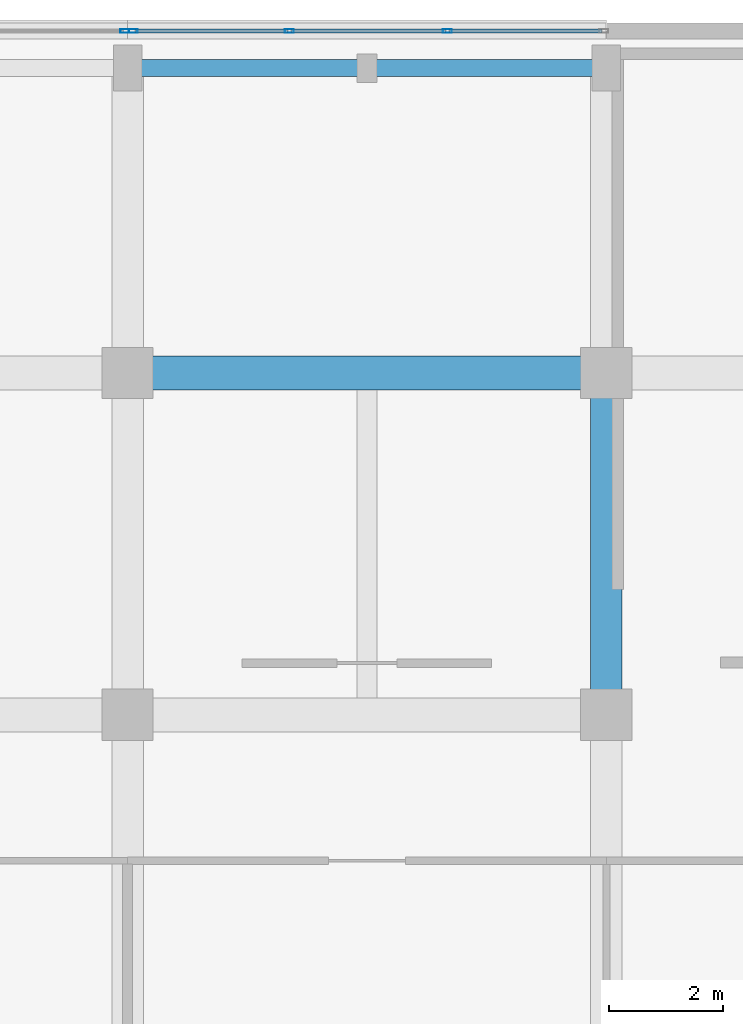
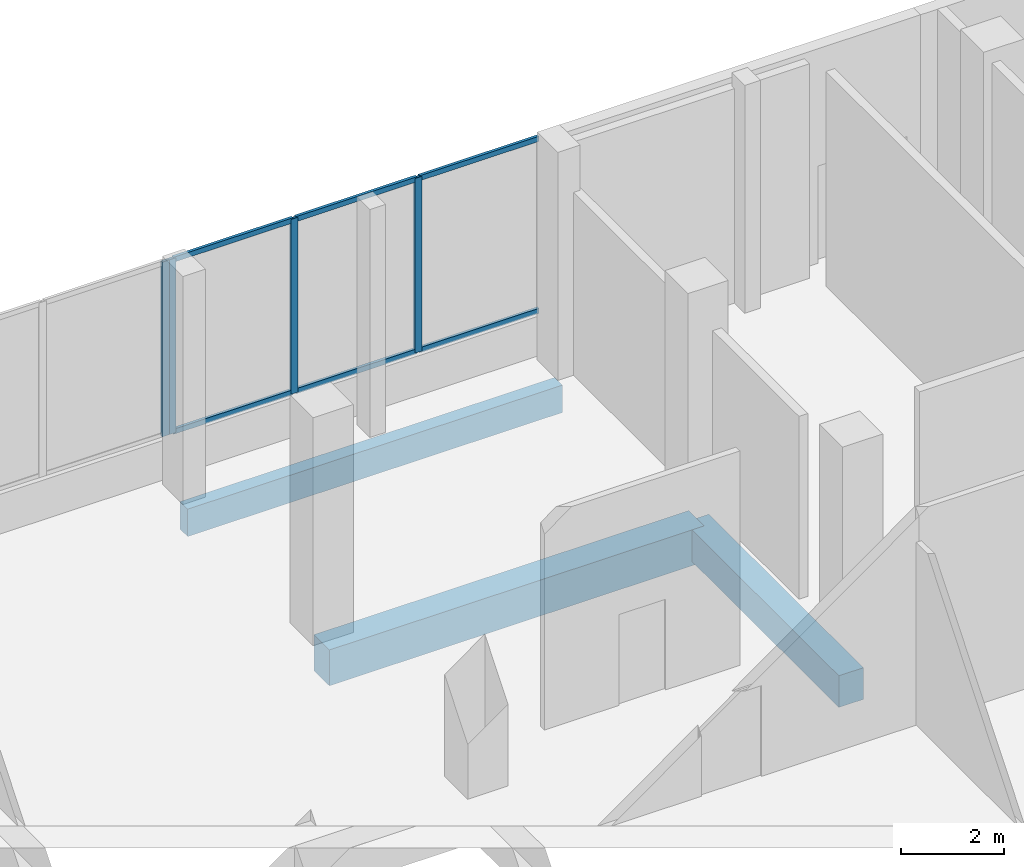
# One storey, part 75 of 158: 10 members, 3 beams, 2 elements without a shape of their own.
"""IFC4 building model written with IfcOpenShell, lengths in metres."""

from ifc_helpers import new_model, si_unit, direction, frame, origin, origin_2d, place, context, subcontext, project, spatial, rectangle, hollow_rectangle, extrude, material, material_profile, profile_set, type_object, element, aggregate, save


model = new_model("IFC4")

# Units and contexts
model_context = context("Model", 3, precision=1e-05, world=origin(), true_north=direction((0.0, 1.0)))
body_context = subcontext(model_context, "Body", "Model", "MODEL_VIEW")
ifc_project = project(units=[si_unit("LENGTHUNIT", "METRE"), si_unit("AREAUNIT", "SQUARE_METRE"), si_unit("VOLUMEUNIT", "CUBIC_METRE"), si_unit("PLANEANGLEUNIT", "RADIAN"), si_unit("MASSUNIT", "GRAM", prefix="KILO")], contexts=[model_context])

# Site, building, storey
site_placement = place(None, origin())
site = spatial("IfcSite", under=ifc_project, at=site_placement, CompositionType="ELEMENT")
building_placement = place(site_placement, origin())
building = spatial("IfcBuilding", under=site, at=building_placement, Name="Selatvlak General Hospital", CompositionType="ELEMENT")
storey_placement = place(building_placement, origin())
storey = spatial("IfcBuildingStorey", under=building, at=storey_placement, Name="L00", CompositionType="ELEMENT", Elevation=0.0)

# Beams
ifc_material_1 = material(Name="Concrete C40/50", Category="concrete")
ifc_material_profile_1 = material_profile(ifc_material_1, rectangle(XDim=0.60009765625, YDim=0.85009765625, at=origin_2d()), Name="RC-BM 600x850")
ifc_profile_set_1 = profile_set([ifc_material_profile_1], Name="Concrete C40/50")
beam_type_1 = type_object("IfcBeamType", Name="BM-G01", PredefinedType="BEAM", material=ifc_profile_set_1)
beam_1_placement = place(storey_placement, frame((31.199951171875, 114.0, -0.77490234375), z_axis=(1.0, 0.0, 0.0), x_axis=(0.0, 1.0, 0.0)))
element("IfcBeam", 1, at=beam_1_placement, inside=storey, type_object=beam_type_1, Name="Beam BMR-L00-0134", PredefinedType="BEAM", context=body_context, shape_type="SweptSolid", body=[
    extrude(rectangle(XDim=0.60009765625, YDim=0.85009765625, at=origin_2d()), origin(), (0.0, 0.0, 1.0), 8.400146484375),
])
ifc_material_profile_2 = material_profile(ifc_material_1, rectangle(XDim=0.550048828125, YDim=0.75, at=origin_2d()), Name="RC-BM 550x750")
ifc_profile_set_2 = profile_set([ifc_material_profile_2], Name="Concrete C40/50")
beam_type_2 = type_object("IfcBeamType", Name="BM-G02", PredefinedType="BEAM", material=ifc_profile_set_2)
beam_2_placement = place(storey_placement, frame((39.60009765625, 108.0, -0.72509765625), z_axis=(0.0, 1.0, 0.0), x_axis=(-1.0, 0.0, 0.0)))
element("IfcBeam", 2, at=beam_2_placement, inside=storey, type_object=beam_type_2, Name="Beam BMR-L00-0179", PredefinedType="BEAM", context=body_context, shape_type="SweptSolid", body=[
    extrude(rectangle(XDim=0.550048828125, YDim=0.75, at=origin_2d()), origin(), (0.0, 0.0, 1.0), 6.0),
])
ifc_material_profile_3 = material_profile(ifc_material_1, rectangle(XDim=0.300048828125, YDim=0.64990234375, at=origin_2d()), Name="RC-SP 300x650")
ifc_profile_set_3 = profile_set([ifc_material_profile_3], Name="Concrete C40/50")
beam_type_3 = type_object("IfcBeamType", Name="BM-SP1", PredefinedType="SPANDREL", material=ifc_profile_set_3)
beam_3_placement = place(storey_placement, frame((31.199951171875, 119.35009765625, -0.675048828125), z_axis=(1.0, 0.0, 0.0), x_axis=(0.0, 1.0, 0.0)))
element("IfcBeam", 3, at=beam_3_placement, inside=storey, type_object=beam_type_3, Name="Beam BMR-L00-0149", PredefinedType="SPANDREL", context=body_context, shape_type="SweptSolid", body=[
    extrude(rectangle(XDim=0.300048828125, YDim=0.64990234375, at=origin_2d()), origin(), (0.0, 0.0, 1.0), 8.400146484375),
])

# Curtain wall, member
ifc_material_2 = material(Name="Solar-control Low-E double glazing", Category="glass")
curtain_wall_type_1 = type_object("IfcCurtainWallType", Name="CW-CW-01", PredefinedType="USERDEFINED", material=ifc_material_2)
curtain_wall_1_placement = place(storey_placement, origin())
curtain_wall_1 = element("IfcCurtainWall", 4, at=curtain_wall_1_placement, inside=storey, type_object=curtain_wall_type_1, Name="Glazed facade curtain wall CW-L00-0003", ObjectType="UNITISED CURTAIN WALL", PredefinedType="USERDEFINED")
ifc_material_3 = material(Name="Dark anodised aluminium mullion", Category="aluminium")
ifc_material_profile_4 = material_profile(ifc_material_3, hollow_rectangle(XDim=0.06494140625, YDim=0.159912109375, WallThickness=0.00390625, at=origin_2d()), Name="AL-MUL 65x160x4")
ifc_profile_set_4 = profile_set([ifc_material_profile_4], Name="Dark anodised aluminium mullion")
member_type_1 = type_object("IfcMemberType", Name="CWM-01", PredefinedType="MULLION", material=ifc_profile_set_4)
member_1_placement = place(storey_placement, frame((31.152587890625, 119.9990234375, 0.93994140625), z_axis=(0.0, 0.0, 1.0), x_axis=(0.0, 1.0, 0.0)))
member_1 = element("IfcMember", 5, at=member_1_placement, type_object=member_type_1, Name="CW-01 mullion 4", PredefinedType="MULLION", context=body_context, shape_type="SweptSolid", body=[
    extrude(hollow_rectangle(XDim=0.06494140625, YDim=0.159912109375, WallThickness=0.00390625, at=origin_2d()), origin(), (0.0, 0.0, 1.0), 4.14013671875),
])
aggregate(curtain_wall_1, [member_1])

# Curtain wall, members
curtain_wall_type_2 = type_object("IfcCurtainWallType", Name="CW-CW-02", PredefinedType="USERDEFINED", material=ifc_material_2)
curtain_wall_2_placement = place(storey_placement, origin())
curtain_wall_2 = element("IfcCurtainWall", 6, at=curtain_wall_2_placement, inside=storey, type_object=curtain_wall_type_2, Name="Glazed facade curtain wall CW-L00-0004", ObjectType="UNITISED CURTAIN WALL", PredefinedType="USERDEFINED")
member_2_placement = place(storey_placement, frame((31.297607421875, 119.9990234375, 0.93994140625), z_axis=(0.0, 0.0, 1.0), x_axis=(0.0, 1.0, 0.0)))
member_2 = element("IfcMember", 7, at=member_2_placement, type_object=member_type_1, Name="CW-02 mullion 1", PredefinedType="MULLION", context=body_context, shape_type="SweptSolid", body=[
    extrude(hollow_rectangle(XDim=0.06494140625, YDim=0.159912109375, WallThickness=0.00390625, at=origin_2d()), origin(), (0.0, 0.0, 1.0), 4.14013671875),
])
member_3_placement = place(storey_placement, frame((34.038330078125, 119.9990234375, 0.93994140625), z_axis=(0.0, 0.0, 1.0), x_axis=(0.0, 1.0, 0.0)))
member_3 = element("IfcMember", 8, at=member_3_placement, type_object=member_type_1, Name="CW-02 mullion 2", PredefinedType="MULLION", context=body_context, shape_type="SweptSolid", body=[
    extrude(hollow_rectangle(XDim=0.06494140625, YDim=0.159912109375, WallThickness=0.00390625, at=origin_2d()), origin(), (0.0, 0.0, 1.0), 4.14013671875),
])
member_4_placement = place(storey_placement, frame((36.811767578125, 119.9990234375, 0.93994140625), z_axis=(0.0, 0.0, 1.0), x_axis=(0.0, 1.0, 0.0)))
member_4 = element("IfcMember", 9, at=member_4_placement, type_object=member_type_1, Name="CW-02 mullion 3", PredefinedType="MULLION", context=body_context, shape_type="SweptSolid", body=[
    extrude(hollow_rectangle(XDim=0.06494140625, YDim=0.159912109375, WallThickness=0.00390625, at=origin_2d()), origin(), (0.0, 0.0, 1.0), 4.14013671875),
])
ifc_material_profile_5 = material_profile(ifc_material_3, hollow_rectangle(XDim=0.06494140625, YDim=0.1201171875, WallThickness=0.00390625, at=origin_2d()), Name="AL-TRN 65x120x4")
ifc_profile_set_5 = profile_set([ifc_material_profile_5], Name="Dark anodised aluminium mullion")
member_type_2 = type_object("IfcMemberType", Name="CWT-01", PredefinedType="USERDEFINED", material=ifc_profile_set_5)
member_5_placement = place(storey_placement, frame((31.330078125, 119.9990234375, 0.972412109375), z_axis=(1.0, 0.0, 0.0), x_axis=(0.0, 1.0, 0.0)))
member_5 = element("IfcMember", 10, at=member_5_placement, type_object=member_type_2, Name="CW-02 transom 1.1", ObjectType="TRANSOM", PredefinedType="USERDEFINED", context=body_context, shape_type="SweptSolid", body=[
    extrude(hollow_rectangle(XDim=0.06494140625, YDim=0.1201171875, WallThickness=0.00390625, at=origin_2d()), origin(), (0.0, 0.0, 1.0), 2.67578125),
])
member_6_placement = place(storey_placement, frame((31.330078125, 119.9990234375, 5.047607421875), z_axis=(1.0, 0.0, 0.0), x_axis=(0.0, 1.0, 0.0)))
member_6 = element("IfcMember", 11, at=member_6_placement, type_object=member_type_2, Name="CW-02 transom 1.2", ObjectType="TRANSOM", PredefinedType="USERDEFINED", context=body_context, shape_type="SweptSolid", body=[
    extrude(hollow_rectangle(XDim=0.06494140625, YDim=0.1201171875, WallThickness=0.00390625, at=origin_2d()), origin(), (0.0, 0.0, 1.0), 2.67578125),
])
member_7_placement = place(storey_placement, frame((34.07080078125, 119.9990234375, 0.972412109375), z_axis=(1.0, 0.0, 0.0), x_axis=(0.0, 1.0, 0.0)))
member_7 = element("IfcMember", 12, at=member_7_placement, type_object=member_type_2, Name="CW-02 transom 2.1", ObjectType="TRANSOM", PredefinedType="USERDEFINED", context=body_context, shape_type="SweptSolid", body=[
    extrude(hollow_rectangle(XDim=0.06494140625, YDim=0.1201171875, WallThickness=0.00390625, at=origin_2d()), origin(), (0.0, 0.0, 1.0), 2.708251953125),
])
member_8_placement = place(storey_placement, frame((34.07080078125, 119.9990234375, 5.047607421875), z_axis=(1.0, 0.0, 0.0), x_axis=(0.0, 1.0, 0.0)))
member_8 = element("IfcMember", 13, at=member_8_placement, type_object=member_type_2, Name="CW-02 transom 2.2", ObjectType="TRANSOM", PredefinedType="USERDEFINED", context=body_context, shape_type="SweptSolid", body=[
    extrude(hollow_rectangle(XDim=0.06494140625, YDim=0.1201171875, WallThickness=0.00390625, at=origin_2d()), origin(), (0.0, 0.0, 1.0), 2.708251953125),
])
member_9_placement = place(storey_placement, frame((36.84423828125, 119.9990234375, 0.972412109375), z_axis=(1.0, 0.0, 0.0), x_axis=(0.0, 1.0, 0.0)))
member_9 = element("IfcMember", 14, at=member_9_placement, type_object=member_type_2, Name="CW-02 transom 3.1", ObjectType="TRANSOM", PredefinedType="USERDEFINED", context=body_context, shape_type="SweptSolid", body=[
    extrude(hollow_rectangle(XDim=0.06494140625, YDim=0.1201171875, WallThickness=0.00390625, at=origin_2d()), origin(), (0.0, 0.0, 1.0), 2.67578125),
])
member_10_placement = place(storey_placement, frame((36.84423828125, 119.9990234375, 5.047607421875), z_axis=(1.0, 0.0, 0.0), x_axis=(0.0, 1.0, 0.0)))
member_10 = element("IfcMember", 15, at=member_10_placement, type_object=member_type_2, Name="CW-02 transom 3.2", ObjectType="TRANSOM", PredefinedType="USERDEFINED", context=body_context, shape_type="SweptSolid", body=[
    extrude(hollow_rectangle(XDim=0.06494140625, YDim=0.1201171875, WallThickness=0.00390625, at=origin_2d()), origin(), (0.0, 0.0, 1.0), 2.67578125),
])
aggregate(curtain_wall_2, [member_2, member_3, member_4, member_5, member_6, member_7, member_8, member_9, member_10])

save(model, "model.ifc")
